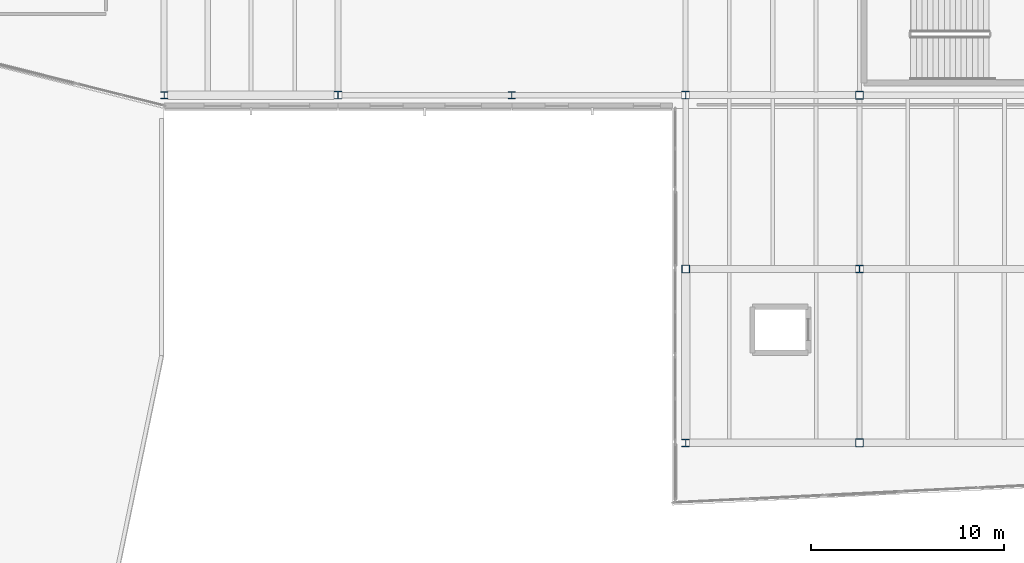
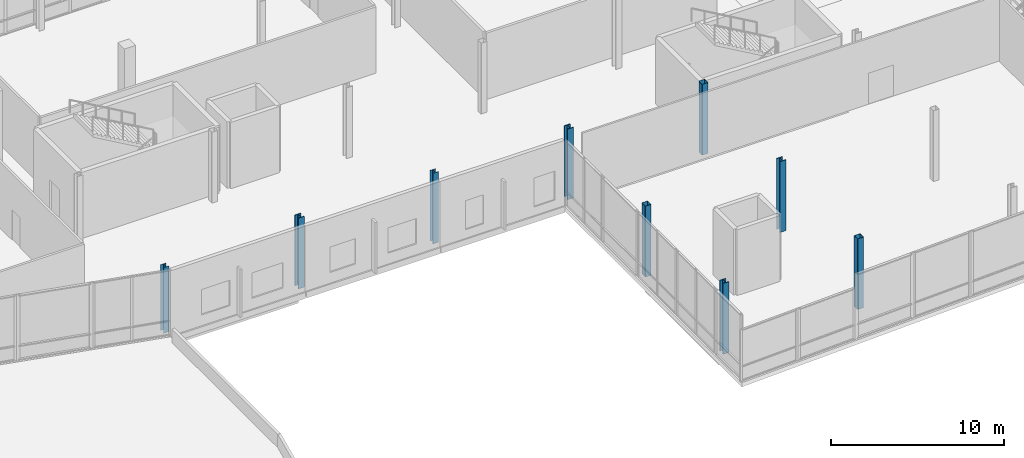
# One storey, part 1 of 81: 9 columns.
"""IFC4 building model written with IfcOpenShell, lengths in metres."""

from ifc_helpers import new_model, si_unit, direction, frame, origin, origin_2d, place, context, subcontext, project, spatial, hollow_rectangle, i_section, extrude, material, material_profile, profile_set, type_object, element, save


model = new_model("IFC4")

# Units and contexts
model_context = context("Model", 3, precision=1e-05, world=origin(), true_north=direction((0.0, 1.0)))
body_context = subcontext(model_context, "Body", "Model", "MODEL_VIEW")
ifc_project = project(units=[si_unit("LENGTHUNIT", "METRE"), si_unit("AREAUNIT", "SQUARE_METRE"), si_unit("VOLUMEUNIT", "CUBIC_METRE"), si_unit("PLANEANGLEUNIT", "RADIAN"), si_unit("MASSUNIT", "GRAM", prefix="KILO")], contexts=[model_context])

# Site, building, storey
site_placement = place(None, origin())
site = spatial("IfcSite", under=ifc_project, at=site_placement, CompositionType="ELEMENT")
building_placement = place(site_placement, origin())
building = spatial("IfcBuilding", under=site, at=building_placement, Name="Trimount Lyric Opera House", CompositionType="ELEMENT")
storey_placement = place(building_placement, frame((0.0, 0.0, 5.0)))
storey = spatial("IfcBuildingStorey", under=building, at=storey_placement, Name="L01", CompositionType="ELEMENT", Elevation=5.0)

# Columns
ifc_material_1 = material(Name="Steel ASTM A992 Grade 50", Category="steel")
ifc_material_profile_1 = material_profile(ifc_material_1, i_section(OverallWidth=0.406005859375, OverallDepth=0.4169921875, WebThickness=0.02978515625, FlangeThickness=0.048095703125, FilletRadius=0.01806640625, at=origin_2d()), Name="W14X257")
ifc_profile_set_1 = profile_set([ifc_material_profile_1], Name="Steel ASTM A992 Grade 50")
column_type_1 = type_object("IfcColumnType", Name="C-02", PredefinedType="COLUMN", material=ifc_profile_set_1)
for number, where, z_axis, x_axis, name in (
    (1, (27.0, 44.0, 0.0), (0.0, 0.0, 1.0), (1.0, 0.0, 0.0), "L01 column 4/F"),
    (2, (45.0, 26.0, 0.0), (0.0, 0.0, 1.0), (1.0, 0.0, 0.0), "L01 column 6/D"),
    (3, (45.0, 44.0, 0.0), (0.0, 0.0, 1.0), (1.0, 0.0, 0.0), "L01 column 6/F"),
    (4, (54.0, 35.0, 0.0), (0.0, 0.0, 1.0), (1.0, 0.0, 0.0), "L01 column 7/E"),
):
    element("IfcColumn", number, at=place(storey_placement, frame(where, z_axis=z_axis, x_axis=x_axis)), inside=storey, type_object=column_type_1, Name=name, PredefinedType="COLUMN", context=body_context, shape_type="SweptSolid", body=[
        extrude(i_section(OverallWidth=0.406005859375, OverallDepth=0.4169921875, WebThickness=0.02978515625, FlangeThickness=0.048095703125, FilletRadius=0.01806640625, at=origin_2d()), origin(), (0.0, 0.0, 1.0), 5.0),
    ])
ifc_material_2 = material(Name="Steel ASTM A992 Grade 50", Category="steel")
ifc_material_profile_2 = material_profile(ifc_material_2, i_section(OverallWidth=0.367919921875, OverallDepth=0.35595703125, WebThickness=0.01123046875, FlangeThickness=0.01806640625, FilletRadius=0.014892578125, at=origin_2d()), Name="W14X90")
ifc_profile_set_2 = profile_set([ifc_material_profile_2], Name="Steel ASTM A992 Grade 50")
column_type_2 = type_object("IfcColumnType", Name="C-05", PredefinedType="COLUMN", material=ifc_profile_set_2)
column_1_placement = place(storey_placement, frame((36.0, 44.0, 0.0), z_axis=(0.0, 0.0, 1.0), x_axis=(1.0, 0.0, 0.0)))
element("IfcColumn", 5, at=column_1_placement, inside=storey, type_object=column_type_2, Name="L01 crystal roof column 36/44", PredefinedType="COLUMN", context=body_context, shape_type="SweptSolid", body=[
    extrude(i_section(OverallWidth=0.367919921875, OverallDepth=0.35595703125, WebThickness=0.01123046875, FlangeThickness=0.01806640625, FilletRadius=0.014892578125, at=origin_2d()), origin(), (0.0, 0.0, 1.0), 5.0),
])
ifc_material_3 = material(Name="Steel ASTM A500 Grade C", Category="steel")
ifc_material_profile_3 = material_profile(ifc_material_3, hollow_rectangle(XDim=0.406494140625, YDim=0.406494140625, WallThickness=0.014892578125, InnerFilletRadius=0.01513671875, OuterFilletRadius=0.030029296875, at=origin_2d()), Name="HSS406.4X406.4X15.9")
ifc_profile_set_3 = profile_set([ifc_material_profile_3], Name="Steel ASTM A500 Grade C")
column_type_3 = type_object("IfcColumnType", Name="C-07", PredefinedType="COLUMN", material=ifc_profile_set_3)
for number, where, z_axis, x_axis, name in (
    (6, (45.0, 35.0, 0.0), (0.0, 0.0, 1.0), (1.0, 0.0, 0.0), "L01 column 6/E"),
    (7, (54.0, 26.0, 0.0), (0.0, 0.0, 1.0), (1.0, 0.0, 0.0), "L01 column 7/D"),
    (8, (54.0, 44.0, 0.0), (0.0, 0.0, 1.0), (1.0, 0.0, 0.0), "L01 column 7/F"),
):
    element("IfcColumn", number, at=place(storey_placement, frame(where, z_axis=z_axis, x_axis=x_axis)), inside=storey, type_object=column_type_3, Name=name, PredefinedType="COLUMN", context=body_context, shape_type="SweptSolid", body=[
        extrude(hollow_rectangle(XDim=0.406494140625, YDim=0.406494140625, WallThickness=0.014892578125, InnerFilletRadius=0.01513671875, OuterFilletRadius=0.030029296875, at=origin_2d()), origin(), (0.0, 0.0, 1.0), 5.0),
    ])
ifc_material_4 = material(Name="Steel ASTM A992 Grade 50", Category="steel")
ifc_material_profile_4 = material_profile(ifc_material_4, i_section(OverallWidth=0.367919921875, OverallDepth=0.35595703125, WebThickness=0.01123046875, FlangeThickness=0.01806640625, FilletRadius=0.014892578125, at=origin_2d()), Name="W14X90")
ifc_profile_set_4 = profile_set([ifc_material_profile_4], Name="Steel ASTM A992 Grade 50")
column_type_4 = type_object("IfcColumnType", Name="C-09", PredefinedType="COLUMN", material=ifc_profile_set_4)
column_2_placement = place(storey_placement, frame((18.0, 44.0, 0.0), z_axis=(0.0, 0.0, 1.0), x_axis=(1.0, 0.0, 0.0)))
element("IfcColumn", 9, at=column_2_placement, inside=storey, type_object=column_type_4, Name="L01 column 3/F", PredefinedType="COLUMN", context=body_context, shape_type="SweptSolid", body=[
    extrude(i_section(OverallWidth=0.367919921875, OverallDepth=0.35595703125, WebThickness=0.01123046875, FlangeThickness=0.01806640625, FilletRadius=0.014892578125, at=origin_2d()), origin(), (0.0, 0.0, 1.0), 4.639892578125),
])

save(model, "model.ifc")
